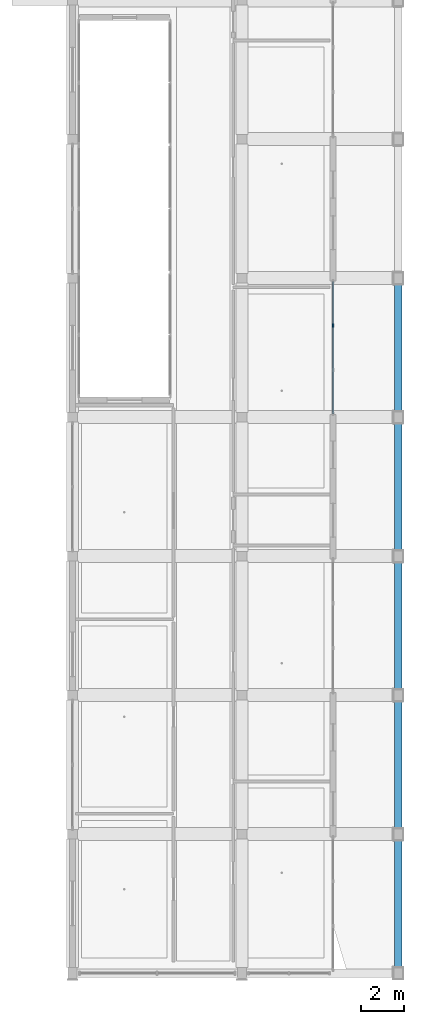
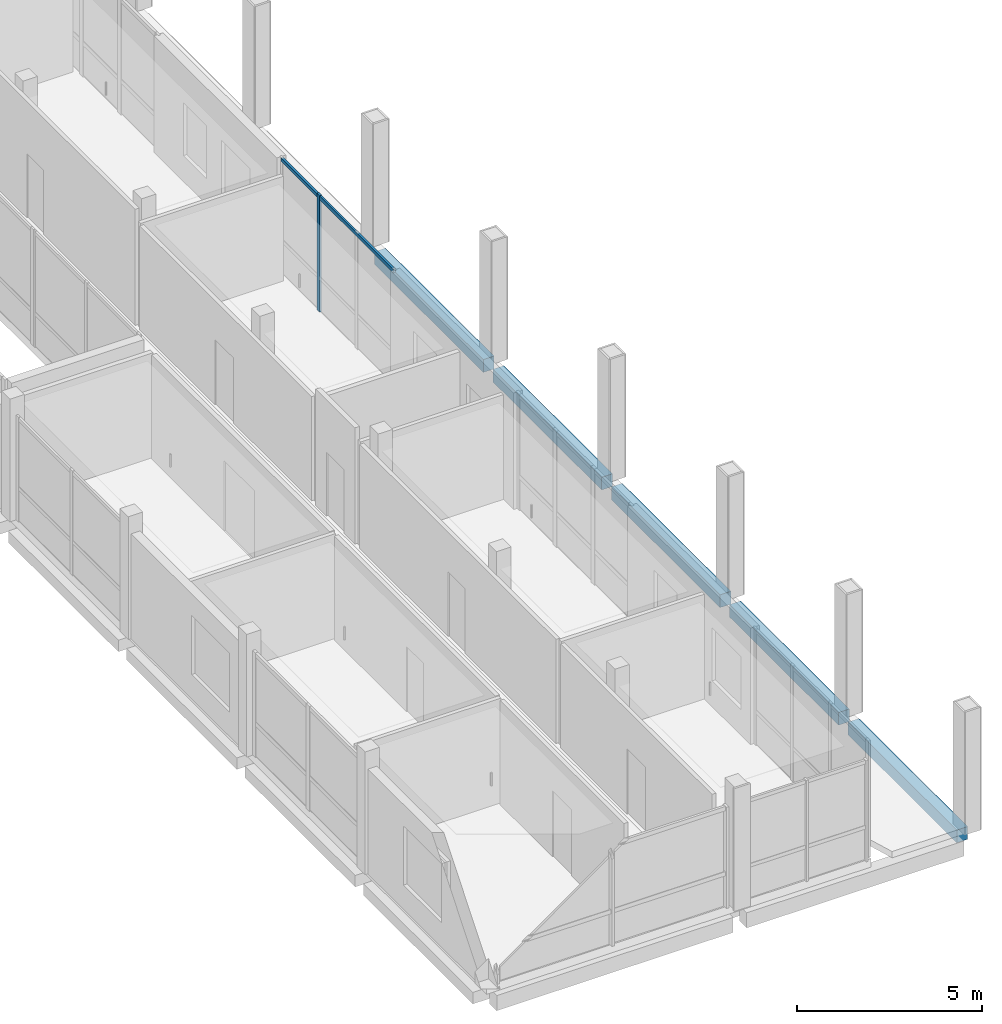
# One storey, part 9 of 48: 5 beams, 2 members, 1 element without a shape of its own.
"""IFC4 building model written with IfcOpenShell, lengths in metres."""

from ifc_helpers import new_model, si_unit, derived_unit, direction, frame, origin, origin_2d, place, context, subcontext, project, spatial, rectangle, extrude, material, material_profile, profile_set, type_object, element, aggregate, save


model = new_model("IFC4")

# Units and contexts
model_context = context("Model", 3, precision=1e-05, world=origin(), true_north=direction((0.0, 1.0)))
body_context = subcontext(model_context, "Body", "Model", "MODEL_VIEW")
ifc_project = project(units=[si_unit("LENGTHUNIT", "METRE"), si_unit("AREAUNIT", "SQUARE_METRE"), si_unit("VOLUMEUNIT", "CUBIC_METRE"), si_unit("PLANEANGLEUNIT", "RADIAN"), si_unit("MASSUNIT", "GRAM", prefix="KILO"), derived_unit("THERMALTRANSMITTANCEUNIT", [(si_unit("POWERUNIT", "WATT"), 1), (si_unit("LENGTHUNIT", "METRE"), -2), (si_unit("THERMODYNAMICTEMPERATUREUNIT", "KELVIN"), -1)])], contexts=[model_context])

# Site, building, storey
site_placement = place(None, origin())
site = spatial("IfcSite", under=ifc_project, at=site_placement, CompositionType="ELEMENT")
building_placement = place(site_placement, origin())
building = spatial("IfcBuilding", under=site, at=building_placement, Name="Braskholm Square Health Centre", CompositionType="ELEMENT")
storey_placement = place(building_placement, frame((0.0, 0.0, 17.550048828125)))
storey = spatial("IfcBuildingStorey", under=building, at=storey_placement, Name="L05", CompositionType="ELEMENT", Elevation=17.550048828125)

# Curtain wall, members
ifc_material_1 = material(Name="Low-E triple insulating glass (VLT 0.64)", Category="glass")
curtain_wall_type = type_object("IfcCurtainWallType", Name="UnitisedCurtainWall6200x3800", PredefinedType="NOTDEFINED", material=ifc_material_1)
curtain_wall_placement = place(storey_placement, origin())
curtain_wall = element("IfcCurtainWall", 1, at=curtain_wall_placement, inside=storey, type_object=curtain_wall_type, Name="East Crown unitised curtain wall CW-L05-0078", PredefinedType="NOTDEFINED")
ifc_material_2 = material(Name="Architectural bronze anodised aluminium", Category="aluminium")
ifc_material_profile_1 = material_profile(ifc_material_2, rectangle(XDim=0.06494140625, YDim=0.14990234375, at=origin_2d()), Name="ALU-65X150")
ifc_profile_set_1 = profile_set([ifc_material_profile_1], Name="Architectural bronze anodised aluminium")
member_type_1 = type_object("IfcMemberType", Name="CurtainWallMullion65x150", PredefinedType="MULLION", material=ifc_profile_set_1)
member_1_placement = place(storey_placement, frame((160.800048828125, 34.026611328125, 0.0), z_axis=(0.0, 0.0, 1.0), x_axis=(1.0, 0.0, 0.0)))
member_1 = element("IfcMember", 2, at=member_1_placement, type_object=member_type_1, Name="CW-L05-0078 vertical mullion 3", PredefinedType="MULLION", context=body_context, shape_type="SweptSolid", body=[
    extrude(rectangle(XDim=0.06494140625, YDim=0.14990234375, at=origin_2d()), origin(), (0.0, 0.0, 1.0), 3.83984375),
])
ifc_material_profile_2 = material_profile(ifc_material_2, rectangle(XDim=0.06494140625, YDim=0.1201171875, at=origin_2d()), Name="ALU-65X120")
ifc_profile_set_2 = profile_set([ifc_material_profile_2], Name="Architectural bronze anodised aluminium")
member_type_2 = type_object("IfcMemberType", Name="CurtainWallTransom65x120", PredefinedType="USERDEFINED", material=ifc_profile_set_2)
member_2_placement = place(storey_placement, frame((160.800048828125, 29.965087890625, 3.77001953125), z_axis=(0.0, 1.0, 0.0), x_axis=(-1.0, 0.0, 0.0)))
member_2 = element("IfcMember", 3, at=member_2_placement, type_object=member_type_2, Name="CW-L05-0078 horizontal transom 2", ObjectType="TRANSOM", PredefinedType="USERDEFINED", context=body_context, shape_type="SweptSolid", body=[
    extrude(rectangle(XDim=0.06494140625, YDim=0.1201171875, at=origin_2d()), origin(), (0.0, 0.0, 1.0), 6.06982421875),
])
aggregate(curtain_wall, [member_1, member_2])

# Beams
ifc_material_3 = material(Name="Precast concrete C40/50 architectural white", Category="concrete")
ifc_material_profile_3 = material_profile(ifc_material_3, rectangle(XDim=0.340087890625, YDim=0.419921875, at=origin_2d()), Name="RCB-340X420")
ifc_profile_set_3 = profile_set([ifc_material_profile_3], Name="Precast concrete C40/50 architectural white")
beam_type = type_object("IfcBeamType", Name="SpandrelCrownEdge340x420", PredefinedType="SPANDREL", material=ifc_profile_set_3)
beam_1_placement = place(storey_placement, frame((163.800048828125, 4.4599609375, -0.420166015625), z_axis=(0.0, 1.0, 0.0), x_axis=(-1.0, 0.0, 0.0)))
element("IfcBeam", 4, at=beam_1_placement, inside=storey, type_object=beam_type, Name="Beam 22/A-B L05", PredefinedType="SPANDREL", context=body_context, shape_type="SweptSolid", body=[
    extrude(rectangle(XDim=0.340087890625, YDim=0.419921875, at=origin_2d()), origin(), (0.0, 0.0, 1.0), 5.880126953125),
])
for number, where, z_axis, x_axis, name in (
    (5, (163.800048828125, 10.860107421875, -0.420166015625), (0.0, 1.0, 0.0), (-1.0, 0.0, 0.0), "Beam 22/B-C L05"),
    (6, (163.800048828125, 17.260009765625, -0.420166015625), (0.0, 1.0, 0.0), (-1.0, 0.0, 0.0), "Beam 22/C-D L05"),
):
    element("IfcBeam", number, at=place(storey_placement, frame(where, z_axis=z_axis, x_axis=x_axis)), inside=storey, type_object=beam_type, Name=name, PredefinedType="SPANDREL", context=body_context, shape_type="SweptSolid", body=[
        extrude(rectangle(XDim=0.340087890625, YDim=0.419921875, at=origin_2d()), origin(), (0.0, 0.0, 1.0), 5.8798828125),
    ])
beam_2_placement = place(storey_placement, frame((163.800048828125, 23.659912109375, -0.420166015625), z_axis=(0.0, 1.0, 0.0), x_axis=(-1.0, 0.0, 0.0)))
element("IfcBeam", 7, at=beam_2_placement, inside=storey, type_object=beam_type, Name="Beam 22/D-E L05", PredefinedType="SPANDREL", context=body_context, shape_type="SweptSolid", body=[
    extrude(rectangle(XDim=0.340087890625, YDim=0.419921875, at=origin_2d()), origin(), (0.0, 0.0, 1.0), 5.880126953125),
])
beam_3_placement = place(storey_placement, frame((163.800048828125, 30.06005859375, -0.420166015625), z_axis=(0.0, 1.0, 0.0), x_axis=(-1.0, 0.0, 0.0)))
element("IfcBeam", 8, at=beam_3_placement, inside=storey, type_object=beam_type, Name="Beam 22/E-F L05", PredefinedType="SPANDREL", context=body_context, shape_type="SweptSolid", body=[
    extrude(rectangle(XDim=0.340087890625, YDim=0.419921875, at=origin_2d()), origin(), (0.0, 0.0, 1.0), 5.8798828125),
])

save(model, "model.ifc")
